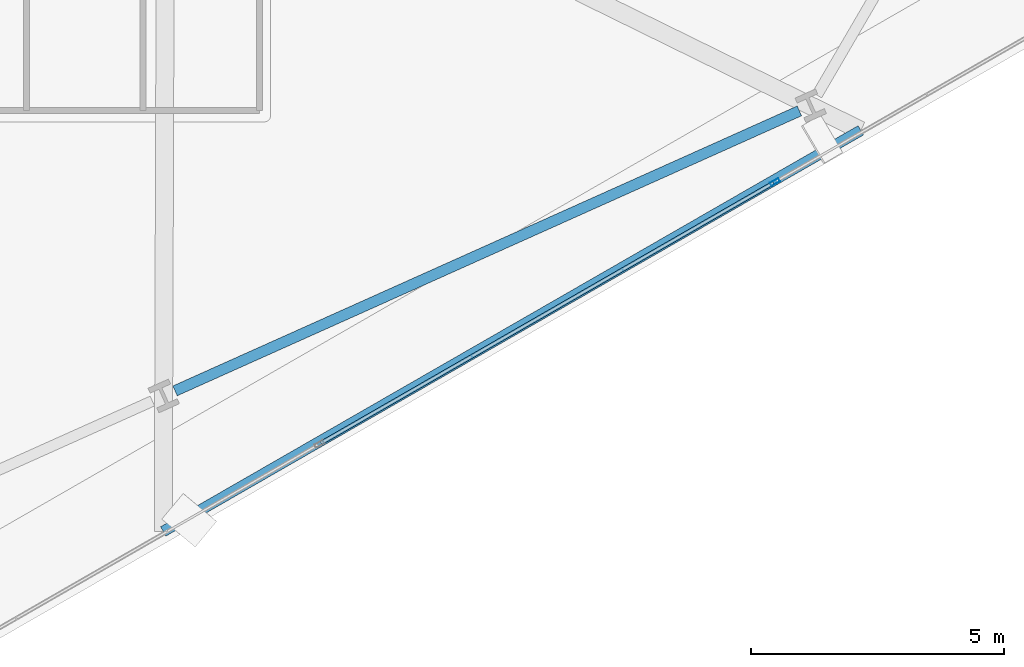
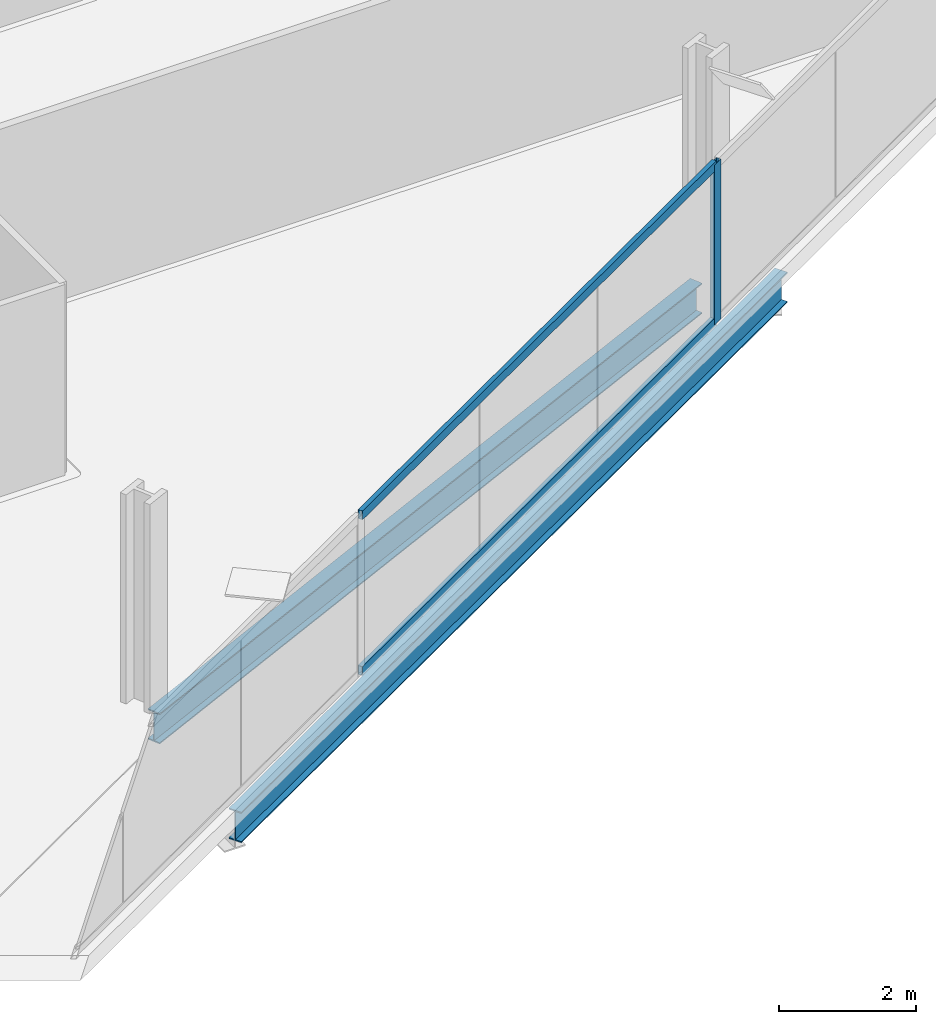
# One storey, part 7 of 33: 3 members, 2 beams, 1 element without a shape of its own.
"""IFC4 building model written with IfcOpenShell, lengths in metres."""

from ifc_helpers import new_model, si_unit, direction, frame, origin, origin_2d, place, context, subcontext, project, spatial, hollow_rectangle, i_section, extrude, material, material_profile, profile_set, type_object, element, aggregate, save


model = new_model("IFC4")

# Units and contexts
model_context = context("Model", 3, precision=1e-05, world=origin(), true_north=direction((0.0, 1.0)))
body_context = subcontext(model_context, "Body", "Model", "MODEL_VIEW")
ifc_project = project(units=[si_unit("LENGTHUNIT", "METRE"), si_unit("AREAUNIT", "SQUARE_METRE"), si_unit("VOLUMEUNIT", "CUBIC_METRE"), si_unit("PLANEANGLEUNIT", "RADIAN"), si_unit("MASSUNIT", "GRAM", prefix="KILO")], contexts=[model_context])

# Site, building, storey
site_placement = place(None, origin())
site = spatial("IfcSite", under=ifc_project, at=site_placement, CompositionType="ELEMENT")
building_placement = place(site_placement, origin())
building = spatial("IfcBuilding", under=site, at=building_placement, Name="Haldenkirk Collegiate Tower", CompositionType="ELEMENT")
storey_placement = place(building_placement, frame((0.0, 0.0, 127.949951171875)))
storey = spatial("IfcBuildingStorey", under=building, at=storey_placement, Name="L31", CompositionType="ELEMENT", Elevation=127.949951171875)

# Beams
ifc_material_1 = material(Name="Steel ASTM A992 Grade 50", Category="steel")
ifc_material_profile_1 = material_profile(ifc_material_1, i_section(OverallWidth=0.2119140625, OverallDepth=0.5439453125, WebThickness=0.01318359375, FlangeThickness=0.021240234375, at=origin_2d()), Name="W21X83")
ifc_profile_set_1 = profile_set([ifc_material_profile_1], Name="Steel ASTM A992 Grade 50")
beam_type = type_object("IfcBeamType", Name="BM-SPANDREL-W21X83", PredefinedType="SPANDREL", material=ifc_profile_set_1)
beam_1_placement = place(storey_placement, frame((45.183837890625, 6.1171875, -0.572021484375), z_axis=(0.912476765144, 0.409128528793, 0.0), x_axis=(-0.409128528793, 0.912476765144, 0.0)))
element("IfcBeam", 1, at=beam_1_placement, inside=storey, type_object=beam_type, Name="L31 perimeter spandrel beam 03", PredefinedType="SPANDREL", context=body_context, shape_type="SweptSolid", body=[
    extrude(i_section(OverallWidth=0.2119140625, OverallDepth=0.5439453125, WebThickness=0.01318359375, FlangeThickness=0.021240234375, at=origin_2d()), origin(), (0.0, 0.0, 1.0), 13.512939453125),
])
beam_2_placement = place(storey_placement, frame((44.950927734375, 3.341064453125, -0.572021484375), z_axis=(0.866896343385, 0.498488445027, 0.0), x_axis=(-0.498488445027, 0.866896343385, 0.0)))
element("IfcBeam", 2, at=beam_2_placement, inside=storey, type_object=beam_type, Name="L31 outer facade edge beam 1", PredefinedType="SPANDREL", context=body_context, shape_type="SweptSolid", body=[
    extrude(i_section(OverallWidth=0.2119140625, OverallDepth=0.5439453125, WebThickness=0.01318359375, FlangeThickness=0.021240234375, at=origin_2d()), origin(), (0.0, 0.0, 1.0), 15.889404296875),
])

# Curtain wall, members
ifc_material_2 = material(Name="Anodised architectural bronze aluminium", Category="aluminium")
curtain_wall_type = type_object("IfcCurtainWallType", Name="CW-SYS2-CONCAVE", PredefinedType="USERDEFINED", material=ifc_material_2)
curtain_wall_placement = place(storey_placement, origin())
curtain_wall = element("IfcCurtainWall", 3, at=curtain_wall_placement, inside=storey, type_object=curtain_wall_type, Name="L31 South concave recessed bronze-anodised curtain wall", ObjectType="UNITISED CURTAIN WALL", PredefinedType="USERDEFINED")
ifc_material_profile_2 = material_profile(ifc_material_2, hollow_rectangle(XDim=0.074951171875, YDim=0.18994140625, WallThickness=0.0048828125, at=origin_2d()), Name="CW-MUL-02")
ifc_profile_set_2 = profile_set([ifc_material_profile_2], Name="Anodised architectural bronze aluminium")
member_type_1 = type_object("IfcMemberType", Name="CW-MUL-02", PredefinedType="MULLION", material=ifc_profile_set_2)
member_1_placement = place(storey_placement, frame((57.030029296875, 10.240478515625, 0.0), z_axis=(0.0, 0.0, 1.0), x_axis=(0.498488961578, -0.866896046355, 0.0)))
member_1 = element("IfcMember", 4, at=member_1_placement, type_object=member_type_1, Name="CW-02 mullion 2", PredefinedType="MULLION", context=body_context, shape_type="SweptSolid", body=[
    extrude(hollow_rectangle(XDim=0.074951171875, YDim=0.18994140625, WallThickness=0.0048828125, at=origin_2d()), origin(), (0.0, 0.0, 1.0), 2.85107421875),
])
ifc_material_profile_3 = material_profile(ifc_material_2, hollow_rectangle(XDim=0.074951171875, YDim=0.159912109375, WallThickness=0.0048828125, at=origin_2d()), Name="CW-TRN-02")
ifc_profile_set_3 = profile_set([ifc_material_profile_3], Name="Anodised architectural bronze aluminium")
member_type_2 = type_object("IfcMemberType", Name="CW-TRN-02", PredefinedType="USERDEFINED", material=ifc_profile_set_3)
member_2_placement = place(storey_placement, frame((56.99755859375, 10.221923828125, 0.03759765625), z_axis=(-0.866890682462, -0.498498289527, 0.0), x_axis=(0.498498289527, -0.866890682462, 0.0)))
member_2 = element("IfcMember", 5, at=member_2_placement, type_object=member_type_2, Name="CW-02 transom 2.1", ObjectType="TRANSOM", PredefinedType="USERDEFINED", context=body_context, shape_type="SweptSolid", body=[
    extrude(hollow_rectangle(XDim=0.074951171875, YDim=0.159912109375, WallThickness=0.0048828125, at=origin_2d()), origin(), (0.0, 0.0, 1.0), 10.300048828125),
])
member_3_placement = place(storey_placement, frame((56.99755859375, 10.221923828125, 2.8134765625), z_axis=(-0.866890682462, -0.498498289527, 0.0), x_axis=(0.498498289527, -0.866890682462, 0.0)))
member_3 = element("IfcMember", 6, at=member_3_placement, type_object=member_type_2, Name="CW-02 transom 2.2", ObjectType="TRANSOM", PredefinedType="USERDEFINED", context=body_context, shape_type="SweptSolid", body=[
    extrude(hollow_rectangle(XDim=0.074951171875, YDim=0.159912109375, WallThickness=0.0048828125, at=origin_2d()), origin(), (0.0, 0.0, 1.0), 10.300048828125),
])
aggregate(curtain_wall, [member_1, member_2, member_3])

save(model, "model.ifc")
